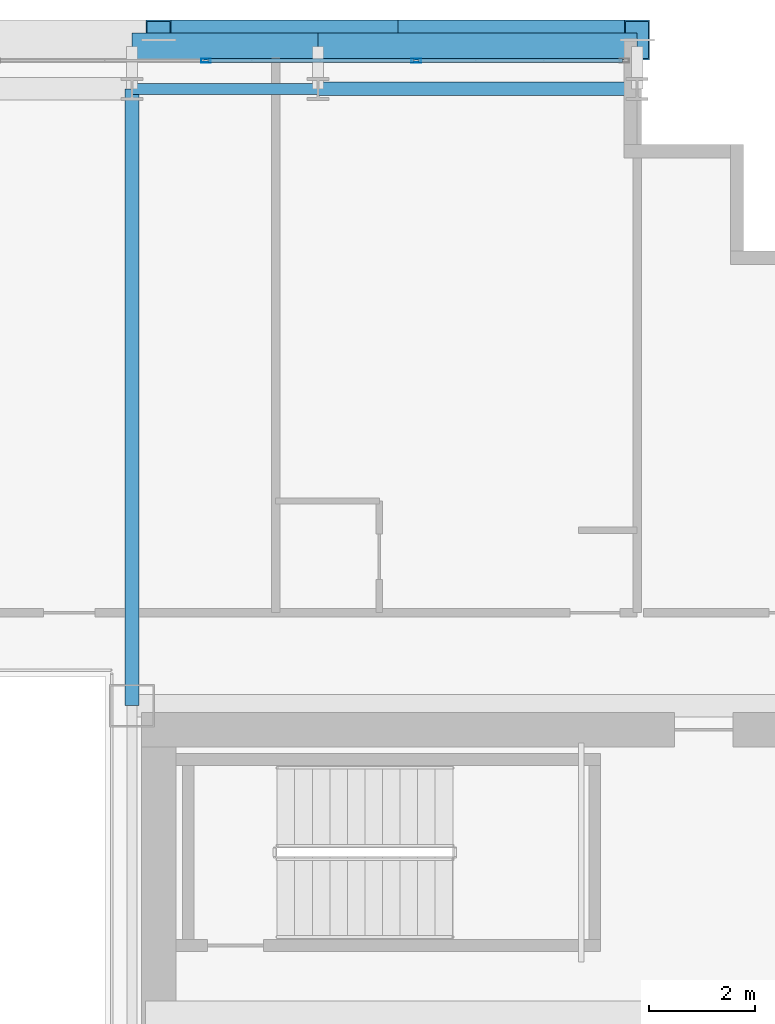
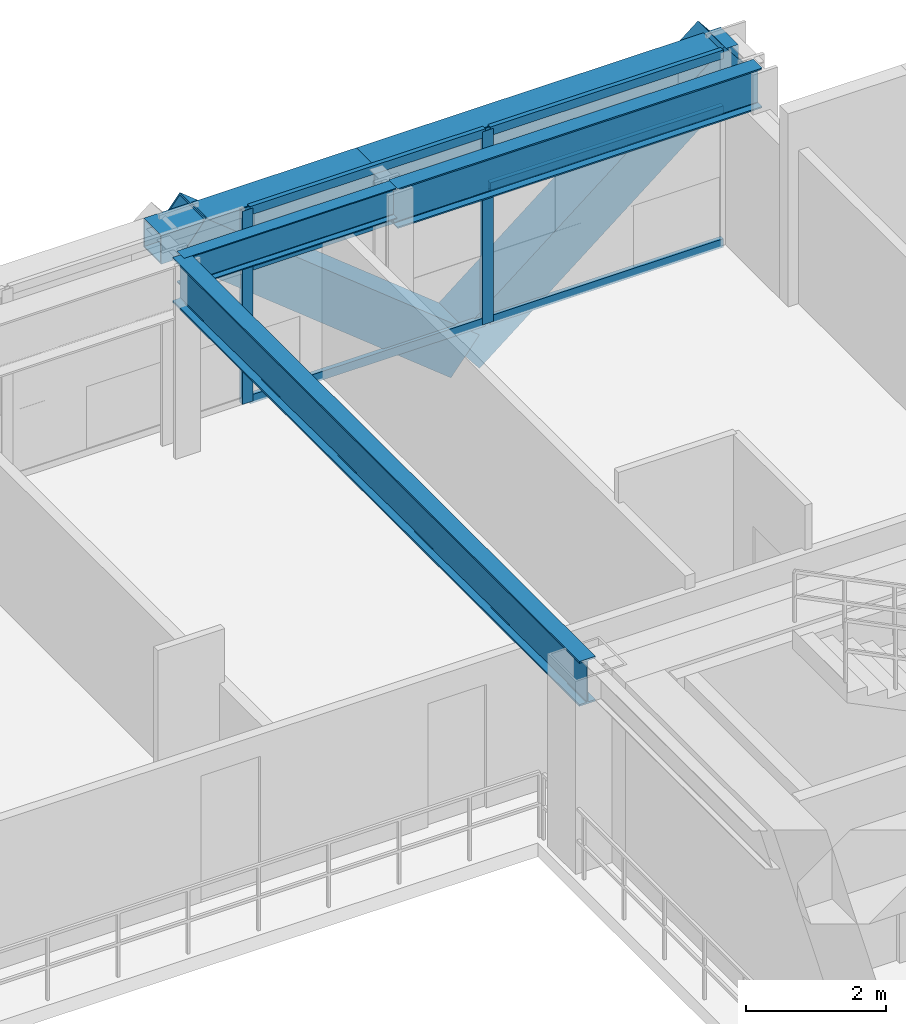
# One storey, part 21 of 34: 10 members, 5 beams, 1 element without a shape of its own.
"""IFC4 building model written with IfcOpenShell, lengths in metres."""

from ifc_helpers import new_model, si_unit, direction, frame, origin, origin_2d, place, context, subcontext, project, spatial, hollow_rectangle, i_section, extrude, source, transform, mapped, material, layer, layer_set, material_profile, profile_set, type_object, element, aggregate, save


model = new_model("IFC4")

# Units and contexts
model_context = context("Model", 3, precision=1e-05, world=origin(), true_north=direction((0.0, 1.0)))
body_context = subcontext(model_context, "Body", "Model", "MODEL_VIEW")
ifc_project = project(units=[si_unit("LENGTHUNIT", "METRE"), si_unit("AREAUNIT", "SQUARE_METRE"), si_unit("VOLUMEUNIT", "CUBIC_METRE"), si_unit("PLANEANGLEUNIT", "RADIAN"), si_unit("MASSUNIT", "GRAM", prefix="KILO")], contexts=[model_context])

# Site, building, storey
site_placement = place(None, origin())
site = spatial("IfcSite", under=ifc_project, at=site_placement, CompositionType="ELEMENT")
building_placement = place(site_placement, origin())
building = spatial("IfcBuilding", under=site, at=building_placement, Name="Ocotamira Hotel", CompositionType="ELEMENT")
storey_placement = place(building_placement, frame((0.0, 0.0, 108.0)))
storey = spatial("IfcBuildingStorey", under=building, at=storey_placement, Name="L26", CompositionType="ELEMENT", Elevation=108.0)

# Beams
ifc_material_1 = material(Name="Steel ASTM A992 Grade 50", Category="steel")
ifc_material_profile_1 = material_profile(ifc_material_1, i_section(OverallWidth=0.256103515625, OverallDepth=0.693115234375, WebThickness=0.014404296875, FlangeThickness=0.023681640625, FilletRadius=0.01611328125, at=origin_2d()), Name="W27X114")
ifc_profile_set_1 = profile_set([ifc_material_profile_1], Name="Steel ASTM A992 Grade 50")
beam_type_1 = type_object("IfcBeamType", Name="BM-PRIM-W27X114", PredefinedType="BEAM", material=ifc_profile_set_1)
shared_shape_1 = source(origin(), body_context, "Body", "SweptSolid", [
    extrude(i_section(OverallWidth=0.256103515625, OverallDepth=0.693115234375, WebThickness=0.014404296875, FlangeThickness=0.023681640625, FilletRadius=0.01611328125, at=origin_2d()), origin(), (0.0, 0.0, 1.0), 6.0),
])
beam_1_placement = place(storey_placement, frame((44.0, 49.050048828125, 3.013427734375), z_axis=(1.0, 0.0, 0.0), x_axis=(0.0, 1.0, 0.0)))
element("IfcBeam", 1, at=beam_1_placement, inside=storey, type_object=beam_type_1, Name="L26 Girder Y49.05 X44-50", PredefinedType="BEAM", context=body_context, shape_type="MappedRepresentation", body=[
    mapped(shared_shape_1, transform((0.0, 0.0, 0.0), scale=1.0)),
])
ifc_material_profile_2 = material_profile(ifc_material_1, i_section(OverallWidth=0.2099609375, OverallDepth=0.537109375, WebThickness=0.010986328125, FlangeThickness=0.017333984375, FilletRadius=0.012939453125, at=origin_2d()), Name="W21X68")
ifc_profile_set_2 = profile_set([ifc_material_profile_2], Name="Steel ASTM A992 Grade 50")
beam_type_2 = type_object("IfcBeamType", Name="BM-SEC-W21X68", PredefinedType="JOIST", material=ifc_profile_set_2)
shared_shape_2 = source(origin(), body_context, "Body", "SweptSolid", [
    extrude(i_section(OverallWidth=0.2099609375, OverallDepth=0.537109375, WebThickness=0.010986328125, FlangeThickness=0.017333984375, FilletRadius=0.012939453125, at=origin_2d()), origin(), (0.0, 0.0, 1.0), 3.5),
])
beam_2_placement = place(storey_placement, frame((40.5, 49.050048828125, 3.091552734375), z_axis=(1.0, 0.0, 0.0), x_axis=(0.0, 1.0, 0.0)))
element("IfcBeam", 2, at=beam_2_placement, inside=storey, type_object=beam_type_2, Name="L26 Girder Y49.05 X40.5-44", PredefinedType="JOIST", context=body_context, shape_type="MappedRepresentation", body=[
    mapped(shared_shape_2, transform((0.0, 0.0, 0.0), scale=1.0)),
])
ifc_material_profile_3 = material_profile(ifc_material_1, i_section(OverallWidth=0.26611328125, OverallDepth=0.779052734375, WebThickness=0.0166015625, FlangeThickness=0.030029296875, FilletRadius=0.01806640625, at=origin_2d()), Name="W30X148")
ifc_profile_set_3 = profile_set([ifc_material_profile_3], Name="Steel ASTM A992 Grade 50")
beam_type_3 = type_object("IfcBeamType", Name="BM-GIRD-W30X148", PredefinedType="BEAM", material=ifc_profile_set_3)
shared_shape_3 = source(origin(), body_context, "Body", "SweptSolid", [
    extrude(i_section(OverallWidth=0.26611328125, OverallDepth=0.779052734375, WebThickness=0.0166015625, FlangeThickness=0.030029296875, FilletRadius=0.01806640625, at=origin_2d()), origin(), (0.0, 0.0, 1.0), 11.60009765625),
])
beam_3_placement = place(storey_placement, frame((40.5, 37.449951171875, 2.970458984375), z_axis=(0.0, 1.0, 0.0), x_axis=(-1.0, 0.0, 0.0)))
element("IfcBeam", 3, at=beam_3_placement, inside=storey, type_object=beam_type_3, Name="L26 Beam X40.5 Y37.45-49.05", PredefinedType="BEAM", context=body_context, shape_type="MappedRepresentation", body=[
    mapped(shared_shape_3, transform((0.0, 0.0, 0.0), scale=1.0)),
])
ifc_material_2 = material(Name="Steel ASTM A500 Grade C", Category="steel")
ifc_material_profile_4 = material_profile(ifc_material_2, hollow_rectangle(XDim=0.5, YDim=0.5, WallThickness=0.02001953125, at=origin_2d()), Name="HSS500X500X20")
ifc_profile_set_4 = profile_set([ifc_material_profile_4], Name="Steel ASTM A500 Grade C")
beam_type_4 = type_object("IfcBeamType", Name="BM-SPAN-HSS500", PredefinedType="USERDEFINED", material=ifc_profile_set_4)
shared_shape_4 = source(origin(), body_context, "Body", "SweptSolid", [
    extrude(hollow_rectangle(XDim=0.5, YDim=0.5, WallThickness=0.02001953125, at=origin_2d()), origin(), (0.0, 0.0, 1.0), 6.0),
])
beam_4_placement = place(storey_placement, frame((44.0, 49.85009765625, 3.110107421875), z_axis=(1.0, 0.0, 0.0), x_axis=(0.0, 1.0, 0.0)))
element("IfcBeam", 4, at=beam_4_placement, inside=storey, type_object=beam_type_4, Name="L26 Edge Spandrel N X44-50", ObjectType="SPANDREL", PredefinedType="USERDEFINED", context=body_context, shape_type="MappedRepresentation", body=[
    mapped(shared_shape_4, transform((0.0, 0.0, 0.0), scale=1.0)),
])
shared_shape_5 = source(origin(), body_context, "Body", "SweptSolid", [
    extrude(hollow_rectangle(XDim=0.5, YDim=0.5, WallThickness=0.02001953125, at=origin_2d()), origin(), (0.0, 0.0, 1.0), 3.5),
])
beam_5_placement = place(storey_placement, frame((40.5, 49.85009765625, 3.110107421875), z_axis=(1.0, 0.0, 0.0), x_axis=(0.0, 1.0, 0.0)))
element("IfcBeam", 5, at=beam_5_placement, inside=storey, type_object=beam_type_4, Name="L26 Edge Spandrel N X40.5-44", ObjectType="SPANDREL", PredefinedType="USERDEFINED", context=body_context, shape_type="MappedRepresentation", body=[
    mapped(shared_shape_5, transform((0.0, 0.0, 0.0), scale=1.0)),
])

# Members
ifc_material_3 = material(Name="Pale-metal coated steel ASTM A913 Grade 65", Category="steel")
ifc_material_profile_5 = material_profile(ifc_material_3, hollow_rectangle(XDim=0.75, YDim=0.75, WallThickness=0.028076171875, at=origin_2d()), Name="BOX750X750X28")
ifc_profile_set_5 = profile_set([ifc_material_profile_5], Name="Pale-metal coated steel ASTM A913 Grade 65")
member_type_1 = type_object("IfcMemberType", Name="MEM-EXO-BOX750", PredefinedType="BRACE", material=ifc_profile_set_5)
shared_shape_6 = source(origin(), body_context, "Body", "SweptSolid", [
    extrude(hollow_rectangle(XDim=0.75, YDim=0.75, WallThickness=0.028076171875, at=origin_2d()), origin(), (0.0, 0.0, 1.0), 5.762939453125),
])
for number, where, z_axis, x_axis, name in (
    (6, (45.5, 49.969970703125, -0.489990234375), (-0.780860543151, 0.0, 0.624705380279), (0.0, -1.0, 0.0), "L26 Exoskeleton Diagrid N3.1"),
    (7, (45.5, 49.969970703125, -0.489990234375), (0.780860543151, 0.0, 0.624705380279), (0.0, 1.0, 0.0), "L26 Exoskeleton Diagrid N3.2"),
):
    element("IfcMember", number, at=place(storey_placement, frame(where, z_axis=z_axis, x_axis=x_axis)), inside=storey, type_object=member_type_1, Name=name, PredefinedType="BRACE", context=body_context, shape_type="MappedRepresentation", body=[
        mapped(shared_shape_6, transform((0.0, 0.0, 0.0), scale=1.0)),
    ])

# Curtain wall, members
ifc_material_4 = material(Name="Anodised pale-metal aluminium and solar glass", Category="aluminium")
ifc_layer = layer(ifc_material_4, 0.179931640625)
ifc_layer_set = layer_set([ifc_layer], Name="Anodised pale-metal aluminium and solar glass")
curtain_wall_type = type_object("IfcCurtainWallType", Name="CW-SYS3-Z2", PredefinedType="NOTDEFINED", material=ifc_layer_set)
curtain_wall_placement = place(storey_placement, origin())
curtain_wall = element("IfcCurtainWall", 8, at=curtain_wall_placement, inside=storey, type_object=curtain_wall_type, Name="L26 Curtain Wall CW-3 CW-L26-N", PredefinedType="NOTDEFINED")
ifc_material_5 = material(Name="Anodised pale-metal aluminium 6063-T6", Category="aluminium")
ifc_material_profile_6 = material_profile(ifc_material_5, hollow_rectangle(XDim=0.074951171875, YDim=0.14990234375, WallThickness=0.006103515625, at=origin_2d()), Name="HSS150X75X6")
ifc_profile_set_6 = profile_set([ifc_material_profile_6], Name="Anodised pale-metal aluminium 6063-T6")
member_type_2 = type_object("IfcMemberType", Name="CWT-150X75", PredefinedType="USERDEFINED", material=ifc_profile_set_6)
shared_shape_7 = source(origin(), body_context, "Body", "SweptSolid", [
    extrude(hollow_rectangle(XDim=0.074951171875, YDim=0.14990234375, WallThickness=0.006103515625, at=origin_2d()), origin(), (0.0, 0.0, 1.0), 3.83544921875),
])
member_1_placement = place(storey_placement, frame((45.884521484375, 49.580078125, 0.03759765625), z_axis=(1.0, 0.0, 0.0), x_axis=(0.0, 1.0, 0.0)))
member_1 = element("IfcMember", 9, at=member_1_placement, type_object=member_type_2, Name="CW-3 transom 9.1", ObjectType="TRANSOM", PredefinedType="USERDEFINED", context=body_context, shape_type="MappedRepresentation", body=[
    mapped(shared_shape_7, transform((0.0, 0.0, 0.0), scale=1.0)),
])
member_2_placement = place(storey_placement, frame((45.884521484375, 49.580078125, 2.35009765625), z_axis=(1.0, 0.0, 0.0), x_axis=(0.0, 1.0, 0.0)))
member_2 = element("IfcMember", 10, at=member_2_placement, type_object=member_type_2, Name="CW-3 transom 9.2", ObjectType="TRANSOM", PredefinedType="USERDEFINED", context=body_context, shape_type="MappedRepresentation", body=[
    mapped(shared_shape_7, transform((0.0, 0.0, 0.0), scale=1.0)),
])
member_3_placement = place(storey_placement, frame((45.884521484375, 49.580078125, 3.322509765625), z_axis=(1.0, 0.0, 0.0), x_axis=(0.0, 1.0, 0.0)))
member_3 = element("IfcMember", 11, at=member_3_placement, type_object=member_type_2, Name="CW-3 transom 9.3", ObjectType="TRANSOM", PredefinedType="USERDEFINED", context=body_context, shape_type="MappedRepresentation", body=[
    mapped(shared_shape_7, transform((0.0, 0.0, 0.0), scale=1.0)),
])
shared_shape_8 = source(origin(), body_context, "Body", "SweptSolid", [
    extrude(hollow_rectangle(XDim=0.074951171875, YDim=0.14990234375, WallThickness=0.006103515625, at=origin_2d()), origin(), (0.0, 0.0, 1.0), 3.87548828125),
])
member_4_placement = place(storey_placement, frame((41.928955078125, 49.580078125, 0.03759765625), z_axis=(1.0, 0.0, 0.0), x_axis=(0.0, 1.0, 0.0)))
member_4 = element("IfcMember", 12, at=member_4_placement, type_object=member_type_2, Name="CW-3 transom 8.1", ObjectType="TRANSOM", PredefinedType="USERDEFINED", context=body_context, shape_type="MappedRepresentation", body=[
    mapped(shared_shape_8, transform((0.0, 0.0, 0.0), scale=1.0)),
])
member_5_placement = place(storey_placement, frame((41.928955078125, 49.580078125, 2.35009765625), z_axis=(1.0, 0.0, 0.0), x_axis=(0.0, 1.0, 0.0)))
member_5 = element("IfcMember", 13, at=member_5_placement, type_object=member_type_2, Name="CW-3 transom 8.2", ObjectType="TRANSOM", PredefinedType="USERDEFINED", context=body_context, shape_type="MappedRepresentation", body=[
    mapped(shared_shape_8, transform((0.0, 0.0, 0.0), scale=1.0)),
])
member_6_placement = place(storey_placement, frame((41.928955078125, 49.580078125, 3.322509765625), z_axis=(1.0, 0.0, 0.0), x_axis=(0.0, 1.0, 0.0)))
member_6 = element("IfcMember", 14, at=member_6_placement, type_object=member_type_2, Name="CW-3 transom 8.3", ObjectType="TRANSOM", PredefinedType="USERDEFINED", context=body_context, shape_type="MappedRepresentation", body=[
    mapped(shared_shape_8, transform((0.0, 0.0, 0.0), scale=1.0)),
])
ifc_material_profile_7 = material_profile(ifc_material_5, hollow_rectangle(XDim=0.080078125, YDim=0.179931640625, WallThickness=0.006103515625, at=origin_2d()), Name="HSS180X80X6")
ifc_profile_set_7 = profile_set([ifc_material_profile_7], Name="Anodised pale-metal aluminium 6063-T6")
member_type_3 = type_object("IfcMemberType", Name="CWM-180X75", PredefinedType="MULLION", material=ifc_profile_set_7)
shared_shape_9 = source(origin(), body_context, "Body", "SweptSolid", [
    extrude(hollow_rectangle(XDim=0.080078125, YDim=0.179931640625, WallThickness=0.006103515625, at=origin_2d()), origin(), (0.0, 0.0, 1.0), 3.360107421875),
])
member_7_placement = place(storey_placement, frame((41.888916015625, 49.580078125, 0.0), z_axis=(0.0, 0.0, 1.0), x_axis=(0.0, 1.0, 0.0)))
member_7 = element("IfcMember", 15, at=member_7_placement, type_object=member_type_3, Name="CW-3 mullion 8", PredefinedType="MULLION", context=body_context, shape_type="MappedRepresentation", body=[
    mapped(shared_shape_9, transform((0.0, 0.0, 0.0), scale=1.0)),
])
member_8_placement = place(storey_placement, frame((45.844482421875, 49.580078125, 0.0), z_axis=(0.0, 0.0, 1.0), x_axis=(0.0, 1.0, 0.0)))
member_8 = element("IfcMember", 16, at=member_8_placement, type_object=member_type_3, Name="CW-3 mullion 9", PredefinedType="MULLION", context=body_context, shape_type="MappedRepresentation", body=[
    mapped(shared_shape_9, transform((0.0, 0.0, 0.0), scale=1.0)),
])
aggregate(curtain_wall, [member_7, member_8, member_4, member_5, member_6, member_1, member_2, member_3])

save(model, "model.ifc")
